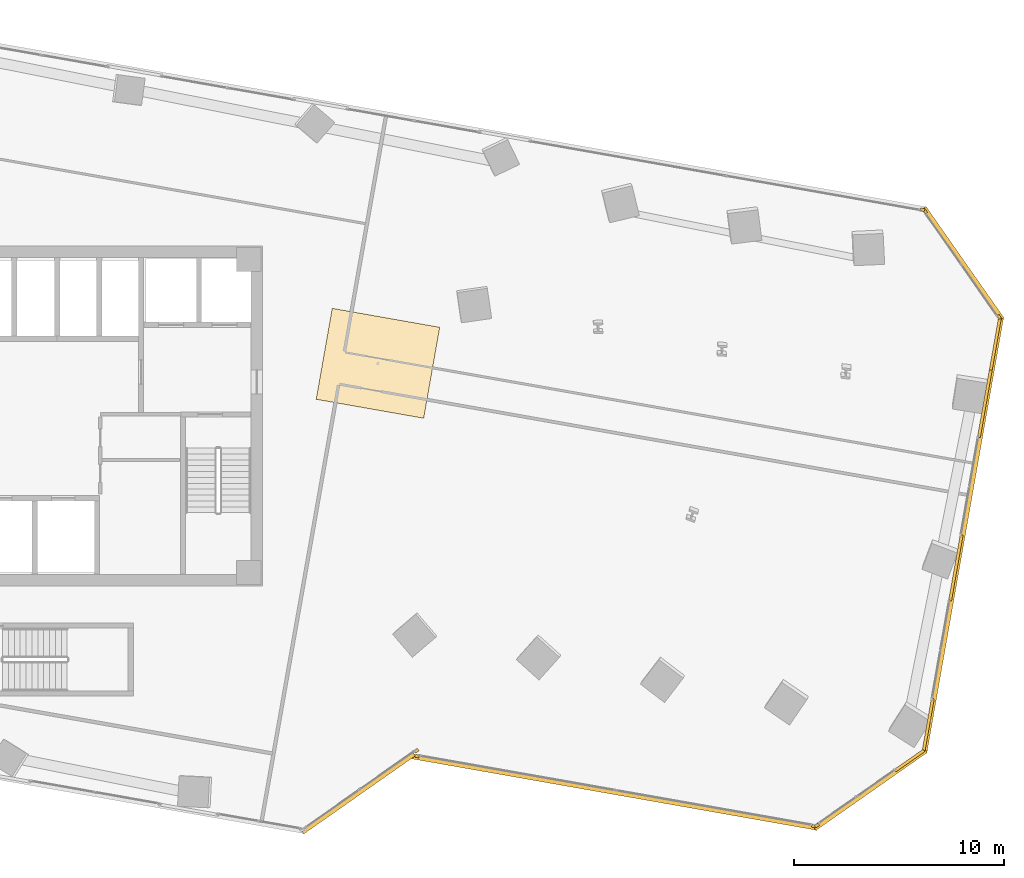
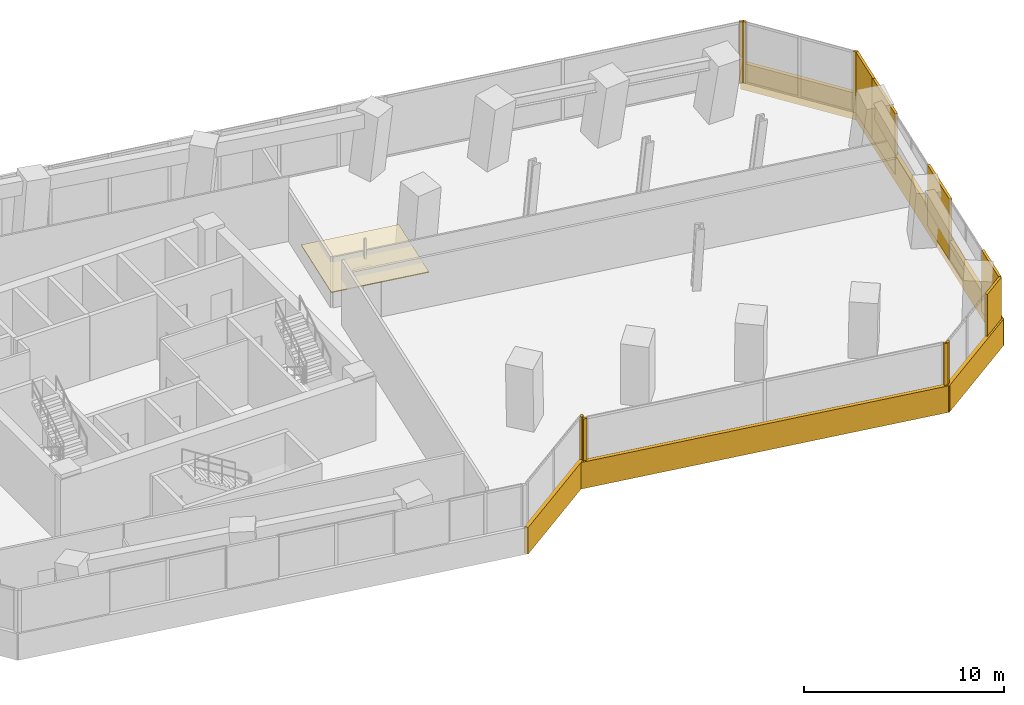
# One storey, part 23 of 24: 18 coverings.
"""IFC4 building model written with IfcOpenShell, lengths in metres."""

from ifc_helpers import new_model, si_unit, direction, frame, origin, origin_2d, place, context, subcontext, project, spatial, polyline, rectangle, outline, extrude, source, transform, mapped, material, layer, layer_set, type_object, element, save


model = new_model("IFC4")

# Units and contexts
model_context = context("Model", 3, precision=1e-05, world=origin(), true_north=direction((0.0, 1.0)))
body_context = subcontext(model_context, "Body", "Model", "MODEL_VIEW")
ifc_project = project(units=[si_unit("LENGTHUNIT", "METRE"), si_unit("AREAUNIT", "SQUARE_METRE"), si_unit("VOLUMEUNIT", "CUBIC_METRE"), si_unit("PLANEANGLEUNIT", "RADIAN"), si_unit("MASSUNIT", "GRAM", prefix="KILO")], contexts=[model_context])

# Site, building, storey
site_placement = place(None, origin())
site = spatial("IfcSite", under=ifc_project, at=site_placement, CompositionType="ELEMENT")
building_placement = place(site_placement, origin())
building = spatial("IfcBuilding", under=site, at=building_placement, Name="Torre Montelarca", CompositionType="ELEMENT")
storey_placement = place(building_placement, frame((0.0, 0.0, 79.0)))
storey = spatial("IfcBuildingStorey", under=building, at=storey_placement, Name="L17", CompositionType="ELEMENT", Elevation=79.0)

# Coverings
ifc_material_1 = material(Name="Micro-perforated walnut timber acoustic slat", Category="wood")
ifc_layer_1 = layer(ifc_material_1, 0.050048828125, Name="Micro-perforated walnut timber acoustic slat", Category="wood")
ifc_layer_set_1 = layer_set([ifc_layer_1], Name="Micro-perforated walnut timber acoustic slat")
covering_type_1 = type_object("IfcCoveringType", Name="COV-CEIL-WD2", PredefinedType="CEILING", material=ifc_layer_set_1)
covering_1_placement = place(storey_placement, frame((0.0, 0.0, 2.719970703125)))
element("IfcCovering", 1, at=covering_1_placement, inside=storey, type_object=covering_type_1, Name="L17 Acoustic Suspended Ceiling 01", PredefinedType="CEILING", context=body_context, shape_type="SweptSolid", body=[
    extrude(outline(polyline([(29.662109375, 32.794921875), (34.782958984375, 31.891845703125), (35.547119140625, 36.224853515625), (30.426025390625, 37.1279296875), (29.662109375, 32.794921875)])), origin(), (0.0, 0.0, 1.0), 0.050048828125),
])
ifc_material_2 = material(Name="Bush-hammered warm white precast concrete C45/55", Category="concrete")
ifc_layer_2 = layer(ifc_material_2, 0.139892578125, Name="Bush-hammered warm white precast concrete C45/55", Category="concrete")
ifc_layer_set_2 = layer_set([ifc_layer_2], Name="Bush-hammered warm white precast concrete C45/55")
covering_type_2 = type_object("IfcCoveringType", Name="COV-TRAY-CLAD", PredefinedType="CLADDING", material=ifc_layer_set_2)
shared_shape_1 = source(origin(), body_context, "Body", "SweptSolid", [
    extrude(rectangle(XDim=6.48388671875, YDim=0.219970703125, at=origin_2d()), origin(), (0.0, 0.0, 1.0), 1.6201171875),
])
for number, where, z_axis, x_axis, name in (
    (2, (31.663330078125, 14.033447265625, -0.449951171875), (0.0, 0.0, 1.0), (0.81914803995, 0.573582155097, 0.0), "L17 Architectural White Spandrel Tray Band TRYBOT-02"),
    (3, (56.062744140625, 14.198974609375, -0.449951171875), (0.0, 0.0, 1.0), (0.819156048588, 0.573570717577, 0.0), "L17 Architectural White Spandrel Tray Band TRYBOT-05"),
    (4, (60.4833984375, 39.269775390625, -0.449951171875), (0.0, 0.0, 1.0), (-0.573570717577, 0.819156048588, 0.0), "L17 Architectural White Spandrel Tray Band TRYBOT-07"),
):
    element("IfcCovering", number, at=place(storey_placement, frame(where, z_axis=z_axis, x_axis=x_axis)), inside=storey, type_object=covering_type_2, Name=name, PredefinedType="CLADDING", context=body_context, shape_type="MappedRepresentation", body=[
        mapped(shared_shape_1, transform((0.0, 0.0, 0.0), scale=1.0)),
    ])
shared_shape_2 = source(origin(), body_context, "Body", "SweptSolid", [
    extrude(rectangle(XDim=21.1201171875, YDim=0.219970703125, at=origin_2d()), origin(), (0.0, 0.0, 1.0), 1.6201171875),
])
covering_2_placement = place(storey_placement, frame((60.480224609375, 26.34521484375, -0.449951171875), z_axis=(0.0, 0.0, 1.0), x_axis=(0.173648177667, 0.984807753012, 0.0)))
element("IfcCovering", 5, at=covering_2_placement, inside=storey, type_object=covering_type_2, Name="L17 Architectural White Spandrel Tray Band TRYBOT-06", PredefinedType="CLADDING", context=body_context, shape_type="MappedRepresentation", body=[
    mapped(shared_shape_2, transform((0.0, 0.0, 0.0), scale=1.0)),
])
shared_shape_3 = source(origin(), body_context, "Body", "SweptSolid", [
    extrude(rectangle(XDim=19.6201171875, YDim=0.219970703125, at=origin_2d()), origin(), (0.0, 0.0, 1.0), 1.6201171875),
])
covering_3_placement = place(storey_placement, frame((43.876708984375, 14.072021484375, -0.449951171875), z_axis=(0.0, 0.0, 1.0), x_axis=(0.98480714686, -0.173651615293, 0.0)))
element("IfcCovering", 6, at=covering_3_placement, inside=storey, type_object=covering_type_2, Name="L17 Architectural White Spandrel Tray Band TRYBOT-04", PredefinedType="CLADDING", context=body_context, shape_type="MappedRepresentation", body=[
    mapped(shared_shape_3, transform((0.0, 0.0, 0.0), scale=1.0)),
])
shared_shape_4 = source(origin(), body_context, "Body", "SweptSolid", [
    extrude(rectangle(XDim=0.199951171875, YDim=0.139892578125, at=origin_2d()), origin(), (0.0, 0.0, 1.0), 3.719970703125),
])
for number, where, z_axis, x_axis, name in (
    (7, (34.44189453125, 16.05224609375, 0.0), (0.0, 0.0, 1.0), (0.819155047517, 0.573572147273, 0.0), "L17 Architectural Column Pier Cladding E02-2"),
    (8, (34.474365234375, 15.790771484375, 0.0), (0.0, 0.0, 1.0), (0.984808056084, -0.173646458853, 0.0), "L17 Architectural Column Pier Cladding E04-1"),
    (9, (53.375, 12.4580078125, 0.0), (0.0, 0.0, 1.0), (0.984808056084, -0.173646458853, 0.0), "L17 Architectural Column Pier Cladding E04-2"),
    (10, (53.5166015625, 12.489501953125, 0.0), (0.0, 0.0, 1.0), (0.819165058115, 0.573557850233, 0.0), "L17 Architectural Column Pier Cladding E05-1"),
    (11, (62.19287109375, 36.7236328125, 0.0), (0.0, 0.0, 1.0), (-0.573557850233, 0.819165058115, 0.0), "L17 Architectural Column Pier Cladding E07-1"),
    (12, (58.675537109375, 41.7470703125, 0.0), (0.0, 0.0, 1.0), (-0.573557850233, 0.819165058115, 0.0), "L17 Architectural Column Pier Cladding E07-2"),
    (13, (58.55322265625, 41.8251953125, 0.0), (0.0, 0.0, 1.0), (-0.984808056084, 0.173646458853, 0.0), "L17 Architectural Column Pier Cladding E08-1"),
):
    element("IfcCovering", number, at=place(storey_placement, frame(where, z_axis=z_axis, x_axis=x_axis)), inside=storey, type_object=covering_type_2, Name=name, PredefinedType="CLADDING", context=body_context, shape_type="MappedRepresentation", body=[
        mapped(shared_shape_4, transform((0.0, 0.0, 0.0), scale=1.0)),
    ])
shared_shape_5 = source(origin(), body_context, "Body", "SweptSolid", [
    extrude(rectangle(XDim=2.539306640625, YDim=0.139892578125, at=origin_2d()), origin(), (0.0, 0.0, 1.0), 3.719970703125),
])
covering_4_placement = place(storey_placement, frame((58.821044921875, 17.281005859375, 0.0), z_axis=(0.0, 0.0, 1.0), x_axis=(0.173646458853, 0.984808056084, 0.0)))
element("IfcCovering", 14, at=covering_4_placement, inside=storey, type_object=covering_type_2, Name="L17 Architectural Column Pier Cladding E06-1", PredefinedType="CLADDING", context=body_context, shape_type="MappedRepresentation", body=[
    mapped(shared_shape_5, transform((0.0, 0.0, 0.0), scale=1.0)),
])
shared_shape_6 = source(origin(), body_context, "Body", "SweptSolid", [
    extrude(rectangle(XDim=2.529052734375, YDim=0.139892578125, at=origin_2d()), origin(), (0.0, 0.0, 1.0), 3.719970703125),
])
covering_5_placement = place(storey_placement, frame((62.022216796875, 35.435302734375, 0.0), z_axis=(0.0, 0.0, 1.0), x_axis=(0.173646458853, 0.984808056084, 0.0)))
element("IfcCovering", 15, at=covering_5_placement, inside=storey, type_object=covering_type_2, Name="L17 Architectural Column Pier Cladding E06-4", PredefinedType="CLADDING", context=body_context, shape_type="MappedRepresentation", body=[
    mapped(shared_shape_6, transform((0.0, 0.0, 0.0), scale=1.0)),
])
shared_shape_7 = source(origin(), body_context, "Body", "SweptSolid", [
    extrude(rectangle(XDim=1.6787109375, YDim=0.139892578125, at=origin_2d()), origin(), (0.0, 0.0, 1.0), 3.719970703125),
])
covering_6_placement = place(storey_placement, frame((57.934326171875, 15.582763671875, 0.0), z_axis=(0.0, 0.0, 1.0), x_axis=(0.819165058115, 0.573557850233, 0.0)))
element("IfcCovering", 16, at=covering_6_placement, inside=storey, type_object=covering_type_2, Name="L17 Architectural Column Pier Cladding E05-2", PredefinedType="CLADDING", context=body_context, shape_type="MappedRepresentation", body=[
    mapped(shared_shape_7, transform((0.0, 0.0, 0.0), scale=1.0)),
])
shared_shape_8 = source(origin(), body_context, "Body", "SweptSolid", [
    extrude(rectangle(XDim=3.199951171875, YDim=0.139892578125, at=origin_2d()), origin(), (0.0, 0.0, 1.0), 3.719970703125),
])
covering_7_placement = place(storey_placement, frame((60.139892578125, 24.76025390625, 0.0), z_axis=(0.0, 0.0, 1.0), x_axis=(0.173646458853, 0.984808056084, 0.0)))
element("IfcCovering", 17, at=covering_7_placement, inside=storey, type_object=covering_type_2, Name="L17 Architectural Column Pier Cladding E06-2", PredefinedType="CLADDING", context=body_context, shape_type="MappedRepresentation", body=[
    mapped(shared_shape_8, transform((0.0, 0.0, 0.0), scale=1.0)),
])
shared_shape_9 = source(origin(), body_context, "Body", "SweptSolid", [
    extrude(rectangle(XDim=3.351806640625, YDim=0.139892578125, at=origin_2d()), origin(), (0.0, 0.0, 1.0), 3.719970703125),
])
covering_8_placement = place(storey_placement, frame((61.52880859375, 32.637939453125, 0.0), z_axis=(0.0, 0.0, 1.0), x_axis=(0.173646458853, 0.984808056084, 0.0)))
element("IfcCovering", 18, at=covering_8_placement, inside=storey, type_object=covering_type_2, Name="L17 Architectural Column Pier Cladding E06-3", PredefinedType="CLADDING", context=body_context, shape_type="MappedRepresentation", body=[
    mapped(shared_shape_9, transform((0.0, 0.0, 0.0), scale=1.0)),
])

save(model, "model.ifc")
